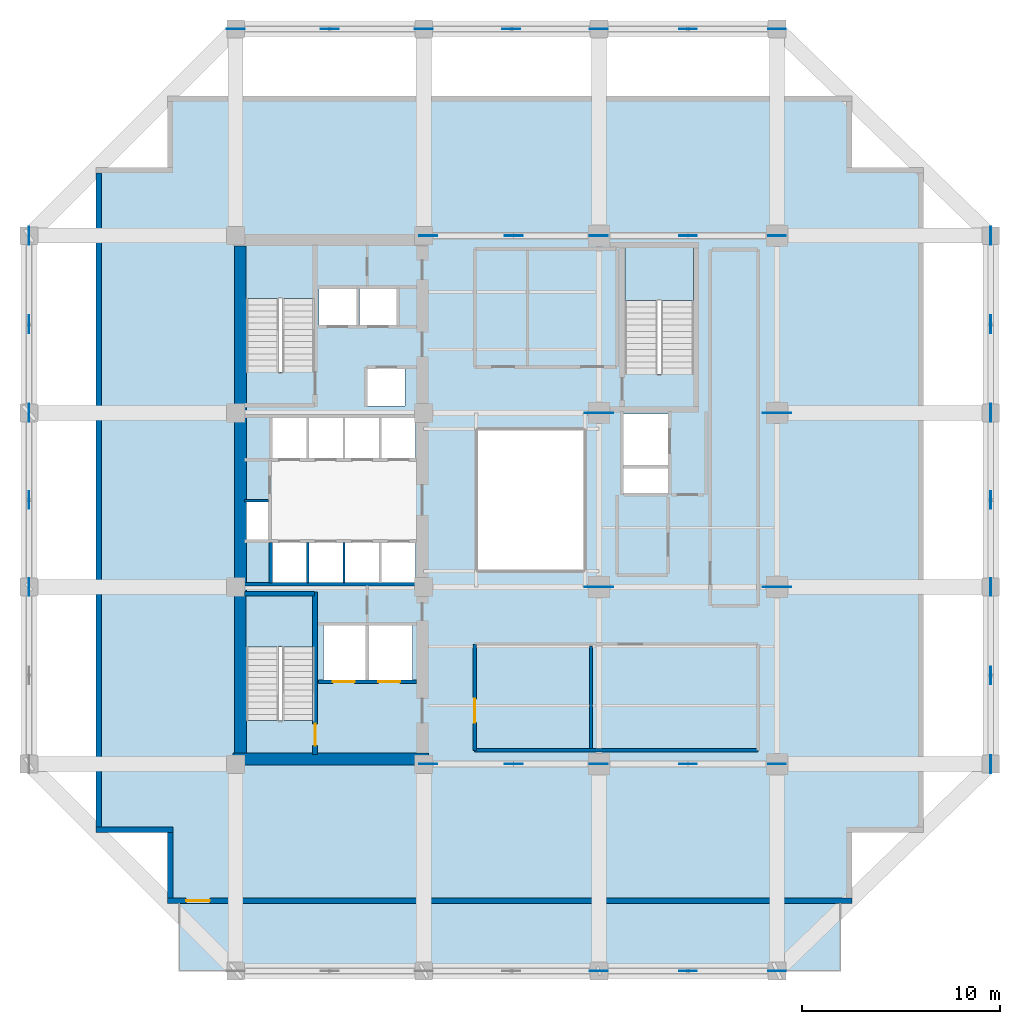
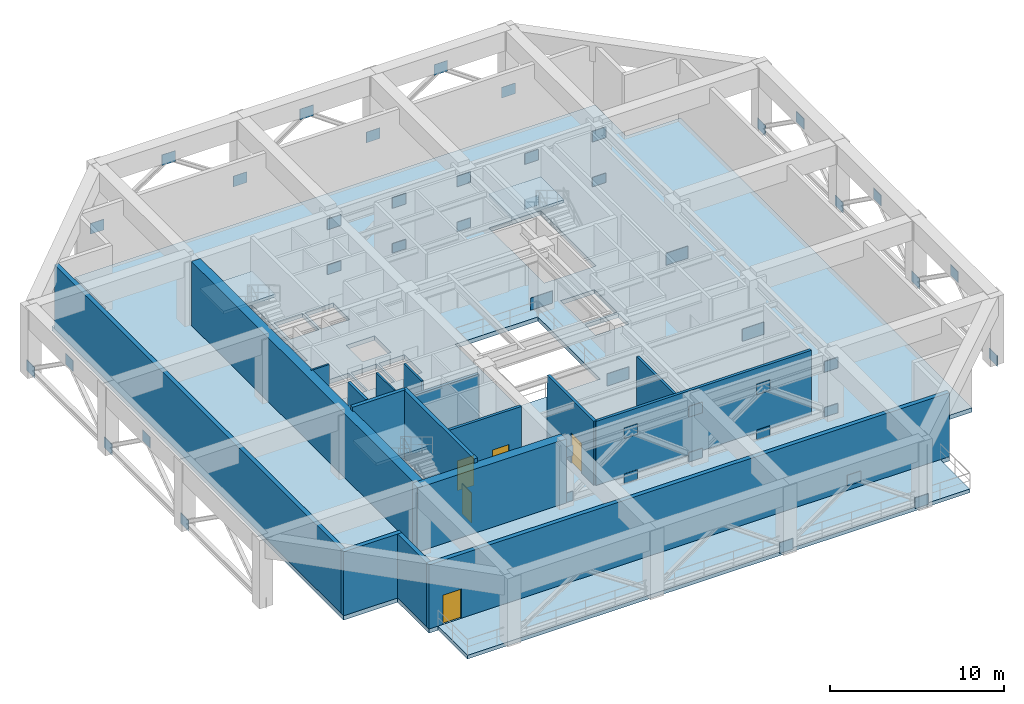
# One storey, part 3 of 10: 46 plates, 17 walls, 5 doors, 5 slabs, 5 openings, 3 elements without a shape of their own.
"""IFC4 building model written with IfcOpenShell, lengths in metres."""

import ifcopenshell
import ifcopenshell.guid

model = None  # the IFC model being written
_history = None  # IfcOwnerHistory: only IFC2X3 demands one
_inside = {}  # id of a spatial element -> (the spatial element, [elements in it])
_under = {}  # id of a project, library or spatial element -> (it, [spatial elements below it])
_declared = {}  # id of a project -> (the project, [libraries it declares])
_typed = {}  # id of a type object -> (the type object, [elements of that type])
_made_of = {}  # id of a material, layer set ... -> (it, [elements and type objects made of it])


def new_model(schema):
    """Start an empty IFC model of exactly this schema.

    Asked for "IFC4X3", IfcOpenShell would pick the latest addendum, in which some entities
    have other attributes; the version numbers below select the first issue.
    IFC2X3 requires an IfcOwnerHistory on every rooted entity: one is made here for all.
    """
    global model, _history
    if schema == "IFC4X3":
        model = ifcopenshell.file(schema_version=(4, 3, 0, 0))
    else:
        model = ifcopenshell.file(schema=schema)
    _inside.clear()
    _under.clear()
    _declared.clear()
    _typed.clear()
    _made_of.clear()
    _history = None
    if model.schema == "IFC2X3":
        org = make("IfcOrganization", Name="unknown")
        user = make(
            "IfcPersonAndOrganization",
            ThePerson=make("IfcPerson", FamilyName="unknown"),
            TheOrganization=org,
        )
        app = make(
            "IfcApplication",
            ApplicationDeveloper=org,
            Version="unknown",
            ApplicationFullName="unknown",
            ApplicationIdentifier="unknown",
        )
        _history = make(
            "IfcOwnerHistory",
            OwningUser=user,
            OwningApplication=app,
            ChangeAction="ADDED",
            CreationDate=0,
        )
    return model


def make(cls, **values):
    """One entity of the class cls with the attributes given. An attribute that is None is left unset."""
    return model.create_entity(
        cls, **{name: value for name, value in values.items() if value is not None}
    )


def rooted(cls, **values):
    """An entity with a GlobalId (a new one), such as an element, a storey or a relation."""
    return make(cls, GlobalId=ifcopenshell.guid.new(), OwnerHistory=_history, **values)


def si_unit(unit_type, name, prefix=None):
    """IfcSIUnit, for example si_unit("LENGTHUNIT", "METRE", prefix="MILLI")."""
    return make("IfcSIUnit", UnitType=unit_type, Prefix=prefix, Name=name)


def assignment(units):
    """IfcUnitAssignment: the units of a project."""
    return None if units is None else make("IfcUnitAssignment", Units=units)


def point(xyz):
    """IfcCartesianPoint."""
    return None if xyz is None else make("IfcCartesianPoint", Coordinates=xyz)


def direction(xyz):
    """IfcDirection."""
    return None if xyz is None else make("IfcDirection", DirectionRatios=xyz)


def frame(location, z_axis=None, x_axis=None):
    """IfcAxis2Placement3D, a coordinate frame: its origin and axes. An axis left out is left unset."""
    return make(
        "IfcAxis2Placement3D",
        Location=point(location),
        Axis=direction(z_axis),
        RefDirection=direction(x_axis),
    )


def frame_2d(location, x_axis=None):
    """IfcAxis2Placement2D, a coordinate frame in the plane: its origin and x axis."""
    return make(
        "IfcAxis2Placement2D", Location=point(location), RefDirection=direction(x_axis)
    )


def origin():
    """The frame at (0, 0, 0) with its axes left unset."""
    return frame((0.0, 0.0, 0.0))


def origin_2d():
    """The frame at (0, 0) in the plane with its x axis left unset."""
    return frame_2d((0.0, 0.0))


def place(relative_to, where):
    """IfcLocalPlacement: puts the frame where relative to a parent placement (None: the world)."""
    return make(
        "IfcLocalPlacement", PlacementRelTo=relative_to, RelativePlacement=where
    )


def context(
    kind, dimensions, precision=None, world=None, true_north=None, identifier=None
):
    """IfcGeometricRepresentationContext, for example the 3D "Model" context."""
    return make(
        "IfcGeometricRepresentationContext",
        ContextIdentifier=identifier,
        ContextType=kind,
        CoordinateSpaceDimension=dimensions,
        Precision=precision,
        WorldCoordinateSystem=world,
        TrueNorth=true_north,
    )


def subcontext(parent, identifier, kind, view, scale=None):
    """IfcGeometricRepresentationSubContext, for example "Body" below "Model"."""
    return make(
        "IfcGeometricRepresentationSubContext",
        ContextIdentifier=identifier,
        ContextType=kind,
        ParentContext=parent,
        TargetScale=scale,
        TargetView=view,
    )


def project(units=None, contexts=None):
    """IfcProject with its units and contexts."""
    return rooted(
        "IfcProject",
        Name="project",
        RepresentationContexts=contexts,
        UnitsInContext=assignment(units),
    )


def spatial(cls, under=None, at=None, **own):
    """A site, building, storey or space (cls), placed at a placement, below another one or the project."""
    s = rooted(cls, ObjectPlacement=at, **own)
    if under is not None:
        _under.setdefault(under.id(), (under, []))[1].append(s)
    return s


def polyline(points):
    """IfcPolyline through the points."""
    return make("IfcPolyline", Points=[point(p) for p in points])


def profile(cls, at=None, kind="AREA", **sizes):
    """A parametric profile (cls). Its sizes go by their IFC names, for example OverallWidth=200.0."""
    return make(cls, ProfileType=kind, Position=at, **sizes)


def rectangle(**sizes):
    """IfcRectangleProfileDef."""
    return profile("IfcRectangleProfileDef", **sizes)


def outline(outer, holes=None, kind="AREA"):
    """IfcArbitraryClosedProfileDef: a profile drawn as a closed curve; with holes, ...WithVoids."""
    if holes is None:
        return make("IfcArbitraryClosedProfileDef", ProfileType=kind, OuterCurve=outer)
    return make(
        "IfcArbitraryProfileDefWithVoids",
        ProfileType=kind,
        OuterCurve=outer,
        InnerCurves=holes,
    )


def extrude(swept, where, along, depth):
    """IfcExtrudedAreaSolid: the profile swept, set in the frame where, extruded along a direction by depth."""
    return make(
        "IfcExtrudedAreaSolid",
        SweptArea=swept,
        Position=where,
        ExtrudedDirection=direction(along),
        Depth=depth,
    )


def shape(context_of_items, identifier, shape_type, items):
    """IfcShapeRepresentation: the items that make up one representation, for example the "Body"."""
    return make(
        "IfcShapeRepresentation",
        ContextOfItems=context_of_items,
        RepresentationIdentifier=identifier,
        RepresentationType=shape_type,
        Items=items,
    )


def material(Name=None, Category=None):
    """IfcMaterial."""
    return make("IfcMaterial", Name=Name, Category=Category)


def layer(
    of_material, thickness, ventilated=None, Name=None, Category=None, Priority=None
):
    """IfcMaterialLayer: one layer of a wall or slab, of a material (None: an air gap)."""
    return make(
        "IfcMaterialLayer",
        Material=of_material,
        LayerThickness=thickness,
        IsVentilated=ventilated,
        Name=Name,
        Category=Category,
        Priority=Priority,
    )


def layer_set(layers, Name=None):
    """IfcMaterialLayerSet."""
    return make("IfcMaterialLayerSet", MaterialLayers=layers, LayerSetName=Name)


def made_of(thing, what):
    """Note that an element or type object is made of a material, layer set ...; save() writes the relation."""
    if what is not None:
        _made_of.setdefault(what.id(), (what, []))[1].append(thing)
    return thing


def type_object(cls, material=None, **own):
    """A type object (cls), such as IfcWallType, which elements share."""
    return made_of(rooted(cls, **own), material)


def element(
    cls,
    number,
    at=None,
    inside=None,
    cuts=None,
    type_object=None,
    material=None,
    context=None,
    identifier="Body",
    shape_type=None,
    held_by="IfcProductDefinitionShape",
    body=None,
    shapes=None,
    **own,
):
    """One element of the class cls, such as IfcWall. Its Tag is "e" and its number.

    at: its placement. inside: the storey or other place that contains it. cuts: it is an
    opening in that element (IfcRelVoidsElement). A single representation is given by context,
    identifier, shape_type and body (its items); several are given by shapes. held_by: the class
    of the entity that holds the representations. save() writes the other relations.
    """
    e = rooted(cls, Tag="e%d" % number, ObjectPlacement=at, **own)
    if body is not None:
        shapes = [shape(context, identifier, shape_type, body)]
    if shapes is not None:
        e.Representation = make(held_by, Representations=shapes)
    if inside is not None:
        _inside.setdefault(inside.id(), (inside, []))[1].append(e)
    if cuts is not None:
        rooted(
            "IfcRelVoidsElement", RelatingBuildingElement=cuts, RelatedOpeningElement=e
        )
    if type_object is not None:
        _typed.setdefault(type_object.id(), (type_object, []))[1].append(e)
    return made_of(e, material)


def fill(opening, filler):
    """IfcRelFillsElement: the door or window that sits in an opening."""
    return rooted(
        "IfcRelFillsElement",
        RelatingOpeningElement=opening,
        RelatedBuildingElement=filler,
    )


def aggregate(whole, parts):
    """IfcRelAggregates: a whole, such as a stair, and the parts it consists of."""
    return rooted("IfcRelAggregates", RelatingObject=whole, RelatedObjects=parts)


def save(model, path):
    """Write the relations noted so far, then the file.

    IfcRelAggregates (storeys below a building ...), IfcRelContainedInSpatialStructure (elements
    in a storey), IfcRelDefinesByType, IfcRelAssociatesMaterial and IfcRelDeclares: one each for
    every whole, place, type object, material and project.
    """
    for whole, parts in _under.values():
        aggregate(whole, parts)
    for where, things in _inside.values():
        rooted(
            "IfcRelContainedInSpatialStructure",
            RelatedElements=things,
            RelatingStructure=where,
        )
    for kind, things in _typed.values():
        rooted("IfcRelDefinesByType", RelatedObjects=things, RelatingType=kind)
    for what, things in _made_of.values():
        rooted("IfcRelAssociatesMaterial", RelatedObjects=things, RelatingMaterial=what)
    for by, libraries in _declared.values():
        rooted("IfcRelDeclares", RelatingContext=by, RelatedDefinitions=libraries)
    model.write(path)


model = new_model("IFC4")

# Units and contexts
model_context = context("Model", 3, precision=1e-05, world=origin(), true_north=direction((0.0, 1.0)))
body_context = subcontext(model_context, "Body", "Model", "MODEL_VIEW")
ifc_project = project(units=[si_unit("LENGTHUNIT", "METRE"), si_unit("AREAUNIT", "SQUARE_METRE"), si_unit("VOLUMEUNIT", "CUBIC_METRE"), si_unit("PLANEANGLEUNIT", "RADIAN"), si_unit("MASSUNIT", "GRAM", prefix="KILO")], contexts=[model_context])

# Site, building, storey
site_placement = place(None, origin())
site = spatial("IfcSite", under=ifc_project, at=site_placement, CompositionType="ELEMENT")
building_placement = place(site_placement, origin())
building = spatial("IfcBuilding", under=site, at=building_placement, Name="Kundavana Baori Tower", CompositionType="ELEMENT")
storey_placement = place(building_placement, frame((0.0, 0.0, 94.0)))
storey = spatial("IfcBuildingStorey", under=building, at=storey_placement, Name="L22", CompositionType="ELEMENT", Elevation=94.0)

# Plates
ifc_material_1 = material(Name="Structural Steel S355JR", Category="steel")
ifc_layer_1 = layer(ifc_material_1, 0.031982421875, Name="PLT-GUSSET-32")
ifc_layer_set_1 = layer_set([ifc_layer_1], Name="Structural Steel S355JR")
plate_type_1 = type_object("IfcPlateType", Name="PLT-GUSSET-32", PredefinedType="USERDEFINED", material=ifc_layer_set_1)
for number, where, z_axis, x_axis, name in (
    (1, (25.179931640625, 15.25, -0.094970703125), (0.0, 0.0, 1.0), (1.0, 0.0, 0.0), "L22 Outrigger Truss OT1 Node Gusset Plate 01"),
    (2, (25.179931640625, 15.25, 3.14990234375), (0.0, 0.0, 1.0), (1.0, 0.0, 0.0), "L22 Outrigger Truss OT1 Node Gusset Plate 02"),
    (3, (29.489990234375, 15.25, -0.094970703125), (0.0, 0.0, 1.0), (1.0, 0.0, 0.0), "L22 Outrigger Truss OT1 Node Gusset Plate 03"),
    (4, (29.489990234375, 15.25, 3.14990234375), (0.0, 0.0, 1.0), (1.0, 0.0, 0.0), "L22 Outrigger Truss OT1 Node Gusset Plate 04"),
    (5, (33.800048828125, 15.25, -0.094970703125), (0.0, 0.0, 1.0), (1.0, 0.0, 0.0), "L22 Outrigger Truss OT1 Node Gusset Plate 05"),
    (6, (33.800048828125, 15.25, 3.14990234375), (0.0, 0.0, 1.0), (1.0, 0.0, 0.0), "L22 Outrigger Truss OT1 Node Gusset Plate 06"),
    (7, (38.300048828125, 15.25, -0.094970703125), (0.0, 0.0, 1.0), (1.0, 0.0, 0.0), "L22 Outrigger Truss OT1 Node Gusset Plate 07"),
    (8, (38.300048828125, 15.25, 3.14990234375), (0.0, 0.0, 1.0), (1.0, 0.0, 0.0), "L22 Outrigger Truss OT1 Node Gusset Plate 08"),
    (9, (42.800048828125, 15.25, -0.094970703125), (0.0, 0.0, 1.0), (1.0, 0.0, 0.0), "L22 Outrigger Truss OT1 Node Gusset Plate 09"),
    (10, (42.800048828125, 15.25, 3.14990234375), (0.0, 0.0, 1.0), (1.0, 0.0, 0.0), "L22 Outrigger Truss OT1 Node Gusset Plate 10"),
    (11, (25.179931640625, 41.949951171875, -0.094970703125), (0.0, 0.0, 1.0), (1.0, 0.0, 0.0), "L22 Outrigger Truss OT2 Node Gusset Plate 11"),
    (12, (25.179931640625, 41.949951171875, 3.14990234375), (0.0, 0.0, 1.0), (1.0, 0.0, 0.0), "L22 Outrigger Truss OT2 Node Gusset Plate 12"),
    (13, (29.489990234375, 41.949951171875, -0.094970703125), (0.0, 0.0, 1.0), (1.0, 0.0, 0.0), "L22 Outrigger Truss OT2 Node Gusset Plate 13"),
    (14, (29.489990234375, 41.949951171875, 3.14990234375), (0.0, 0.0, 1.0), (1.0, 0.0, 0.0), "L22 Outrigger Truss OT2 Node Gusset Plate 14"),
    (15, (33.800048828125, 41.949951171875, -0.094970703125), (0.0, 0.0, 1.0), (1.0, 0.0, 0.0), "L22 Outrigger Truss OT2 Node Gusset Plate 15"),
    (16, (33.800048828125, 41.949951171875, 3.14990234375), (0.0, 0.0, 1.0), (1.0, 0.0, 0.0), "L22 Outrigger Truss OT2 Node Gusset Plate 16"),
    (17, (38.300048828125, 41.949951171875, -0.094970703125), (0.0, 0.0, 1.0), (1.0, 0.0, 0.0), "L22 Outrigger Truss OT2 Node Gusset Plate 17"),
    (18, (38.300048828125, 41.949951171875, 3.14990234375), (0.0, 0.0, 1.0), (1.0, 0.0, 0.0), "L22 Outrigger Truss OT2 Node Gusset Plate 18"),
    (19, (42.800048828125, 41.949951171875, -0.094970703125), (0.0, 0.0, 1.0), (1.0, 0.0, 0.0), "L22 Outrigger Truss OT2 Node Gusset Plate 19"),
    (20, (42.800048828125, 41.949951171875, 3.14990234375), (0.0, 0.0, 1.0), (1.0, 0.0, 0.0), "L22 Outrigger Truss OT2 Node Gusset Plate 20"),
    (21, (33.800048828125, 4.800048828125, -0.094970703125), (0.0, 0.0, 1.0), (1.0, 0.0, 0.0), "L22 Belt Truss S Gusset Plate 24"),
    (22, (42.800048828125, 4.800048828125, -0.094970703125), (0.0, 0.0, 1.0), (1.0, 0.0, 0.0), "L22 Belt Truss S Gusset Plate 26"),
    (23, (38.300048828125, 4.800048828125, 3.06494140625), (0.0, 0.0, 1.0), (1.0, 0.0, 0.0), "L22 Belt Truss Apex S Gusset Plate 27"),
    (24, (15.449951171875, 52.39990234375, -0.094970703125), (0.0, 0.0, 1.0), (1.0, 0.0, 0.0), "L22 Belt Truss N Gusset Plate 28"),
    (25, (24.949951171875, 52.39990234375, -0.094970703125), (0.0, 0.0, 1.0), (1.0, 0.0, 0.0), "L22 Belt Truss N Gusset Plate 29"),
    (26, (20.199951171875, 52.39990234375, 3.06494140625), (0.0, 0.0, 1.0), (1.0, 0.0, 0.0), "L22 Belt Truss Apex N Gusset Plate 30"),
    (27, (33.800048828125, 52.39990234375, -0.094970703125), (0.0, 0.0, 1.0), (1.0, 0.0, 0.0), "L22 Belt Truss N Gusset Plate 31"),
    (28, (29.375, 52.39990234375, 3.06494140625), (0.0, 0.0, 1.0), (1.0, 0.0, 0.0), "L22 Belt Truss Apex N Gusset Plate 32"),
    (29, (42.800048828125, 52.39990234375, -0.094970703125), (0.0, 0.0, 1.0), (1.0, 0.0, 0.0), "L22 Belt Truss N Gusset Plate 33"),
    (30, (38.300048828125, 52.39990234375, 3.06494140625), (0.0, 0.0, 1.0), (1.0, 0.0, 0.0), "L22 Belt Truss Apex N Gusset Plate 34"),
):
    element("IfcPlate", number, at=place(storey_placement, frame(where, z_axis=z_axis, x_axis=x_axis)), inside=storey, type_object=plate_type_1, Name=name, ObjectType="GUSSET PLATE", PredefinedType="USERDEFINED", context=body_context, shape_type="SweptSolid", body=[
        extrude(rectangle(XDim=0.89990234375, YDim=0.031982421875, at=origin_2d()), origin(), (0.0, 0.0, 1.0), 0.75),
    ])
for number, where, z_axis, x_axis, name in (
    (31, (5.0, 24.199951171875, -0.094970703125), (0.0, 0.0, 1.0), (1.0, 0.0, 0.0), "L22 Belt Truss W Gusset Plate 36"),
    (32, (5.0, 33.0, -0.094970703125), (0.0, 0.0, 1.0), (1.0, 0.0, 0.0), "L22 Belt Truss W Gusset Plate 38"),
    (33, (5.0, 28.60009765625, 3.06494140625), (0.0, 0.0, 1.0), (1.0, 0.0, 0.0), "L22 Belt Truss Apex W Gusset Plate 39"),
    (34, (5.0, 41.949951171875, -0.094970703125), (0.0, 0.0, 1.0), (1.0, 0.0, 0.0), "L22 Belt Truss W Gusset Plate 40"),
    (35, (5.0, 37.47509765625, 3.06494140625), (0.0, 0.0, 1.0), (1.0, 0.0, 0.0), "L22 Belt Truss Apex W Gusset Plate 41"),
    (36, (53.60009765625, 15.25, -0.094970703125), (0.0, 0.0, 1.0), (1.0, 0.0, 0.0), "L22 Belt Truss E Gusset Plate 42"),
    (37, (53.60009765625, 24.199951171875, -0.094970703125), (0.0, 0.0, 1.0), (1.0, 0.0, 0.0), "L22 Belt Truss E Gusset Plate 43"),
    (38, (53.60009765625, 19.72509765625, 3.06494140625), (0.0, 0.0, 1.0), (1.0, 0.0, 0.0), "L22 Belt Truss Apex E Gusset Plate 44"),
    (39, (53.60009765625, 33.0, -0.094970703125), (0.0, 0.0, 1.0), (1.0, 0.0, 0.0), "L22 Belt Truss E Gusset Plate 45"),
    (40, (53.60009765625, 28.60009765625, 3.06494140625), (0.0, 0.0, 1.0), (1.0, 0.0, 0.0), "L22 Belt Truss Apex E Gusset Plate 46"),
    (41, (53.60009765625, 41.949951171875, -0.094970703125), (0.0, 0.0, 1.0), (1.0, 0.0, 0.0), "L22 Belt Truss E Gusset Plate 47"),
    (42, (53.60009765625, 37.47509765625, 3.06494140625), (0.0, 0.0, 1.0), (1.0, 0.0, 0.0), "L22 Belt Truss Apex E Gusset Plate 48"),
):
    element("IfcPlate", number, at=place(storey_placement, frame(where, z_axis=z_axis, x_axis=x_axis)), inside=storey, type_object=plate_type_1, Name=name, ObjectType="GUSSET PLATE", PredefinedType="USERDEFINED", context=body_context, shape_type="SweptSolid", body=[
        extrude(rectangle(XDim=0.031982421875, YDim=0.89990234375, at=origin_2d()), origin(), (0.0, 0.0, 1.0), 0.75),
    ])
ifc_material_2 = material(Name="Structural Steel S355JR", Category="steel")
ifc_layer_2 = layer(ifc_material_2, 0.028076171875, Name="PLT-SPLICE-28")
ifc_layer_set_2 = layer_set([ifc_layer_2], Name="Structural Steel S355JR")
plate_type_2 = type_object("IfcPlateType", Name="PLT-SPLICE-28", PredefinedType="SHEET", material=ifc_layer_set_2)
for number, where, z_axis, x_axis, name in (
    (43, (33.800048828125, 24.199951171875, 0.0), (0.0, 0.0, 1.0), (1.0, 0.0, 0.0), "L22 Column Splice Plate IC-5D"),
    (44, (33.800048828125, 33.0, 0.0), (0.0, 0.0, 1.0), (1.0, 0.0, 0.0), "L22 Column Splice Plate IC-5E"),
    (45, (42.800048828125, 24.199951171875, 0.0), (0.0, 0.0, 1.0), (1.0, 0.0, 0.0), "L22 Column Splice Plate IC-6D"),
    (46, (42.800048828125, 33.0, 0.0), (0.0, 0.0, 1.0), (1.0, 0.0, 0.0), "L22 Column Splice Plate IC-6E"),
):
    element("IfcPlate", number, at=place(storey_placement, frame(where, z_axis=z_axis, x_axis=x_axis)), inside=storey, type_object=plate_type_2, Name=name, PredefinedType="SHEET", context=body_context, shape_type="SweptSolid", body=[
        extrude(rectangle(XDim=1.449951171875, YDim=0.028076171875, at=origin_2d()), origin(), (0.0, 0.0, 1.0), 0.85009765625),
    ])

# Slab
ifc_material_3 = material(Name="Concrete C40/50", Category="concrete")
ifc_layer_3 = layer(ifc_material_3, 0.300048828125, Name="SLB-FLR-300")
ifc_layer_set_3 = layer_set([ifc_layer_3], Name="Concrete C40/50")
slab_type_1 = type_object("IfcSlabType", Name="SLB-FLR-300", PredefinedType="FLOOR", material=ifc_layer_set_3)
slab_1_placement = place(storey_placement, frame((0.0, 0.0, -0.300048828125)))
element("IfcSlab", 47, at=slab_1_placement, inside=storey, type_object=slab_type_1, Name="L22 Structural Floor Slab", PredefinedType="FLOOR", context=body_context, shape_type="SweptSolid", body=[
    extrude(outline(polyline([(12.0, 8.199951171875), (46.60009765625, 8.199951171875), (46.60009765625, 11.800048828125), (50.199951171875, 11.800048828125), (50.199951171875, 45.39990234375), (46.60009765625, 45.39990234375), (46.60009765625, 49.0), (12.0, 49.0), (12.0, 45.39990234375), (8.39990234375, 45.39990234375), (8.39990234375, 11.800048828125), (12.0, 11.800048828125), (12.0, 8.199951171875)]), holes=[polyline([(19.43994140625, 17.4619140625), (19.43994140625, 23.85009765625), (15.97998046875, 23.85009765625), (15.97998046875, 17.4619140625), (19.43994140625, 17.4619140625)]), polyline([(19.43994140625, 35.06201171875), (19.43994140625, 41.449951171875), (15.97998046875, 41.449951171875), (15.97998046875, 35.06201171875), (19.43994140625, 35.06201171875)]), polyline([(38.580078125, 34.9619140625), (38.580078125, 41.35009765625), (35.1201171875, 41.35009765625), (35.1201171875, 34.9619140625), (38.580078125, 34.9619140625)]), polyline([(17.300048828125, 24.39990234375), (19.02001953125, 24.39990234375), (19.02001953125, 26.449951171875), (17.300048828125, 26.449951171875), (17.300048828125, 24.39990234375)]), polyline([(19.139892578125, 24.39990234375), (20.860107421875, 24.39990234375), (20.860107421875, 26.449951171875), (19.139892578125, 26.449951171875), (19.139892578125, 24.39990234375)]), polyline([(20.97998046875, 24.39990234375), (22.699951171875, 24.39990234375), (22.699951171875, 26.449951171875), (20.97998046875, 26.449951171875), (20.97998046875, 24.39990234375)]), polyline([(22.820068359375, 24.39990234375), (24.5400390625, 24.39990234375), (24.5400390625, 26.449951171875), (22.820068359375, 26.449951171875), (22.820068359375, 24.39990234375)]), polyline([(17.300048828125, 30.699951171875), (19.02001953125, 30.699951171875), (19.02001953125, 32.75), (17.300048828125, 32.75), (17.300048828125, 30.699951171875)]), polyline([(19.139892578125, 30.699951171875), (20.860107421875, 30.699951171875), (20.860107421875, 32.75), (19.139892578125, 32.75), (19.139892578125, 30.699951171875)]), polyline([(20.97998046875, 30.699951171875), (22.699951171875, 30.699951171875), (22.699951171875, 32.75), (20.97998046875, 32.75), (20.97998046875, 30.699951171875)]), polyline([(22.820068359375, 30.699951171875), (24.5400390625, 30.699951171875), (24.5400390625, 32.75), (22.820068359375, 32.75), (22.820068359375, 30.699951171875)]), polyline([(19.64990234375, 37.39990234375), (21.550048828125, 37.39990234375), (21.550048828125, 39.300048828125), (19.64990234375, 39.300048828125), (19.64990234375, 37.39990234375)]), polyline([(21.699951171875, 37.39990234375), (23.60009765625, 37.39990234375), (23.60009765625, 39.300048828125), (21.699951171875, 39.300048828125), (21.699951171875, 37.39990234375)]), polyline([(22.10009765625, 33.35009765625), (24.0, 33.35009765625), (24.0, 35.25), (22.10009765625, 35.25), (22.10009765625, 33.35009765625)]), polyline([(19.8798828125, 19.5), (22.02001953125, 19.5), (22.02001953125, 22.25), (19.8798828125, 22.25), (19.8798828125, 19.5)]), polyline([(22.179931640625, 19.5), (24.3798828125, 19.5), (24.3798828125, 22.25), (22.179931640625, 22.25), (22.179931640625, 19.5)]), polyline([(35.050048828125, 30.35009765625), (37.300048828125, 30.35009765625), (37.300048828125, 32.949951171875), (35.050048828125, 32.949951171875), (35.050048828125, 30.35009765625)]), polyline([(15.949951171875, 26.60009765625), (17.080078125, 26.60009765625), (17.080078125, 28.5), (15.949951171875, 28.5), (15.949951171875, 26.60009765625)]), polyline([(35.050048828125, 28.949951171875), (37.300048828125, 28.949951171875), (37.300048828125, 30.199951171875), (35.050048828125, 30.199951171875), (35.050048828125, 28.949951171875)]), polyline([(27.60009765625, 25.0), (33.10009765625, 25.0), (33.10009765625, 32.199951171875), (27.60009765625, 32.199951171875), (27.60009765625, 25.0)])]), origin(), (0.0, 0.0, 1.0), 0.300048828125),
])

# Stair, slab
ifc_material_4 = material(Name="Concrete C40/50", Category="concrete")
stair_type = type_object("IfcStairType", Name="STR-DOG-1650", PredefinedType="HALF_TURN_STAIR", material=ifc_material_4)
stair_1_placement = place(storey_placement, origin())
stair_1 = element("IfcStair", 48, at=stair_1_placement, inside=storey, type_object=stair_type, Name="L22 Protected Exit Stair ST1", PredefinedType="HALF_TURN_STAIR")
ifc_material_5 = material(Name="Concrete C40/50", Category="concrete")
ifc_layer_4 = layer(ifc_material_5, 0.199951171875, Name="SLB-LND-200")
ifc_layer_set_4 = layer_set([ifc_layer_4], Name="Concrete C40/50")
slab_type_2 = type_object("IfcSlabType", Name="SLB-LND-200", PredefinedType="LANDING", material=ifc_layer_set_4)
slab_2_placement = place(storey_placement, frame((0.0, 0.0, 2.199951171875)))
slab_2 = element("IfcSlab", 49, at=slab_2_placement, type_object=slab_type_2, Name="ST1 landing 1", PredefinedType="LANDING", context=body_context, shape_type="SweptSolid", body=[
    extrude(outline(polyline([(19.43994140625, 21.169921875), (19.43994140625, 23.85009765625), (15.97998046875, 23.85009765625), (15.97998046875, 21.169921875), (19.43994140625, 21.169921875)])), origin(), (0.0, 0.0, 1.0), 0.199951171875),
])
aggregate(stair_1, [slab_2])

stair_2_placement = place(storey_placement, origin())
stair_2 = element("IfcStair", 50, at=stair_2_placement, inside=storey, type_object=stair_type, Name="L22 Protected Exit Stair ST2", PredefinedType="HALF_TURN_STAIR")
slab_3_placement = place(storey_placement, frame((0.0, 0.0, 2.199951171875)))
slab_3 = element("IfcSlab", 51, at=slab_3_placement, type_object=slab_type_2, Name="ST2 landing 1", PredefinedType="LANDING", context=body_context, shape_type="SweptSolid", body=[
    extrude(outline(polyline([(19.43994140625, 38.77001953125), (19.43994140625, 41.449951171875), (15.97998046875, 41.449951171875), (15.97998046875, 38.77001953125), (19.43994140625, 38.77001953125)])), origin(), (0.0, 0.0, 1.0), 0.199951171875),
])
aggregate(stair_2, [slab_3])

stair_3_placement = place(storey_placement, origin())
stair_3 = element("IfcStair", 52, at=stair_3_placement, inside=storey, type_object=stair_type, Name="L22 Protected Exit Stair ST3", PredefinedType="HALF_TURN_STAIR")
slab_4_placement = place(storey_placement, frame((0.0, 0.0, 2.199951171875)))
slab_4 = element("IfcSlab", 53, at=slab_4_placement, type_object=slab_type_2, Name="ST3 landing 1", PredefinedType="LANDING", context=body_context, shape_type="SweptSolid", body=[
    extrude(outline(polyline([(38.580078125, 38.669921875), (38.580078125, 41.35009765625), (35.1201171875, 41.35009765625), (35.1201171875, 38.669921875), (38.580078125, 38.669921875)])), origin(), (0.0, 0.0, 1.0), 0.199951171875),
])
aggregate(stair_3, [slab_4])

# Slab
ifc_material_6 = material(Name="Concrete C40/50", Category="concrete")
ifc_layer_5 = layer(ifc_material_6, 0.260009765625, Name="SLB-TER-260")
ifc_layer_set_5 = layer_set([ifc_layer_5], Name="Concrete C40/50")
slab_type_3 = type_object("IfcSlabType", Name="SLB-TER-260", PredefinedType="ROOF", material=ifc_layer_set_5)
slab_5_placement = place(storey_placement, frame((0.0, 0.0, -0.260009765625)))
element("IfcSlab", 54, at=slab_5_placement, inside=storey, type_object=slab_type_3, Name="L22 Planted Sky Terrace Slab S", PredefinedType="ROOF", context=body_context, shape_type="SweptSolid", body=[
    extrude(outline(polyline([(12.60009765625, 8.199951171875), (46.0, 8.199951171875), (46.0, 4.800048828125), (12.60009765625, 4.800048828125), (12.60009765625, 8.199951171875)])), origin(), (0.0, 0.0, 1.0), 0.260009765625),
])

# Wall, opening, door
ifc_material_7 = material(Name="Concrete C50/60", Category="concrete")
ifc_layer_6 = layer(ifc_material_7, 0.39990234375, Name="WL-CORE-400")
ifc_layer_set_6 = layer_set([ifc_layer_6], Name="Concrete C50/60")
wall_type_1 = type_object("IfcWallType", Name="WL-CORE-400", PredefinedType="SHEAR", material=ifc_layer_set_6)
wall_1_placement = place(storey_placement, frame((19.4599609375, 15.739990234375, 0.0), z_axis=(0.0, 0.0, 1.0), x_axis=(0.0, 1.0, 0.0)))
wall_1 = element("IfcWall", 55, at=wall_1_placement, inside=storey, type_object=wall_type_1, Name="WL-L22-ST1-E", PredefinedType="SHEAR", context=body_context, shape_type="SweptSolid", body=[
    extrude(rectangle(XDim=8.199951171875, YDim=0.239990234375, at=frame_2d((4.10009765625, 0.0))), origin(), (0.0, 0.0, 1.0), 4.800048828125),
])
opening_1_placement = place(wall_1_placement, frame((0.449951171875, 0.0, 0.0)))
opening_1 = element("IfcOpeningElement", 56, at=opening_1_placement, cuts=wall_1, Name="Opening FD-110", PredefinedType="OPENING", context=body_context, shape_type="SweptSolid", body=[
    extrude(rectangle(XDim=1.10009765625, YDim=2.10009765625, at=frame_2d((0.550048828125, 1.050048828125))), frame((0.0, 0.1298828125, 0.0), z_axis=(0.0, -1.0, 0.0), x_axis=(1.0, 0.0, 0.0)), (0.0, 0.0, 1.0), 0.260009765625),
])
ifc_material_8 = material(Name="Galvanised Steel Fire-Rated Door Leaf", Category="steel")
door_type_1 = type_object("IfcDoorType", Name="DR-FD120-1100", OperationType="NOTDEFINED", PredefinedType="DOOR", material=ifc_material_8)
door_1_placement = place(opening_1_placement, origin())
door_1 = element("IfcDoor", 57, at=door_1_placement, inside=storey, type_object=door_type_1, Name="DR-L22-ST1", OperationType="SINGLE_SWING_LEFT", OverallHeight=2.10009765625, OverallWidth=1.10009765625, PredefinedType="DOOR", context=body_context, shape_type="SweptSolid", body=[
    extrude(rectangle(XDim=1.10009765625, YDim=2.10009765625, at=frame_2d((0.550048828125, 1.050048828125))), frame((0.0, 0.02490234375, 0.0), z_axis=(0.0, -1.0, 0.0), x_axis=(1.0, 0.0, 0.0)), (0.0, 0.0, 1.0), 0.050048828125),
])
fill(opening_1, door_1)

# Walls
wall_2_placement = place(storey_placement, frame((15.89990234375, 23.860107421875, 0.0), z_axis=(0.0, 0.0, 1.0), x_axis=(1.0, 0.0, 0.0)))
element("IfcWall", 58, at=wall_2_placement, inside=storey, type_object=wall_type_1, Name="WL-L22-ST1-N", PredefinedType="SHEAR", context=body_context, shape_type="SweptSolid", body=[
    extrude(rectangle(XDim=3.52001953125, YDim=0.239990234375, at=frame_2d((1.760009765625, 0.0))), origin(), (0.0, 0.0, 1.0), 4.800048828125),
])
ifc_material_9 = material(Name="Concrete C60/75", Category="concrete")
ifc_layer_7 = layer(ifc_material_9, 0.60009765625, Name="WL-CORE-600")
ifc_layer_set_7 = layer_set([ifc_layer_7], Name="Concrete C60/75")
wall_type_2 = type_object("IfcWallType", Name="WL-CORE-600", PredefinedType="SHEAR", material=ifc_layer_set_7)
wall_3_placement = place(storey_placement, frame((15.300048828125, 15.510009765625, 0.0), z_axis=(0.0, 0.0, 1.0), x_axis=(1.0, 0.0, 0.0)))
element("IfcWall", 59, at=wall_3_placement, inside=storey, type_object=wall_type_2, Name="L22 Offset Core South Shear Wall", PredefinedType="SHEAR", context=body_context, shape_type="SweptSolid", body=[
    extrude(rectangle(XDim=9.8798828125, YDim=0.60009765625, at=frame_2d((4.93994140625, 0.0))), origin(), (0.0, 0.0, 1.0), 4.5),
])
wall_4_placement = place(storey_placement, frame((15.68994140625, 15.81005859375, 0.0), z_axis=(0.0, 0.0, 1.0), x_axis=(0.0, 1.0, 0.0)))
element("IfcWall", 60, at=wall_4_placement, inside=storey, type_object=wall_type_2, Name="L22 Offset Core West Shear Wall", PredefinedType="SHEAR", context=body_context, shape_type="SweptSolid", body=[
    extrude(rectangle(XDim=25.6298828125, YDim=0.60009765625, at=frame_2d((12.81494140625, 0.0))), origin(), (0.0, 0.0, 1.0), 4.5),
])

# Wall, opening, door
ifc_material_10 = material(Name="Red-Buff Dholpur Sandstone Cladding on Concrete C40/50", Category="masonry")
ifc_layer_8 = layer(ifc_material_10, 0.280029296875, Name="WL-EXT-SAND-280")
ifc_layer_set_8 = layer_set([ifc_layer_8], Name="Red-Buff Dholpur Sandstone Cladding on Concrete C40/50")
wall_type_3 = type_object("IfcWallType", Name="WL-EXT-SAND-280", PredefinedType="STANDARD", material=ifc_layer_set_8)
wall_5_placement = place(storey_placement, frame((12.0, 8.340087890625, 0.0), z_axis=(0.0, 0.0, 1.0), x_axis=(1.0, 0.0, 0.0)))
wall_5 = element("IfcWall", 61, at=wall_5_placement, inside=storey, type_object=wall_type_3, Name="L22 Exterior Insulated Facade Wall 01", PredefinedType="STANDARD", context=body_context, shape_type="SweptSolid", body=[
    extrude(rectangle(XDim=34.60009765625, YDim=0.280029296875, at=frame_2d((17.300048828125, 0.0))), origin(), (0.0, 0.0, 1.0), 4.5),
])
opening_2_placement = place(wall_5_placement, frame((0.949951171875, 0.0, 0.0)))
opening_2 = element("IfcOpeningElement", 62, at=opening_2_placement, cuts=wall_5, Name="Opening TD-1", PredefinedType="OPENING", context=body_context, shape_type="SweptSolid", body=[
    extrude(rectangle(XDim=1.199951171875, YDim=2.050048828125, at=frame_2d((0.60009765625, 1.02490234375))), frame((0.0, 0.14990234375, 0.0), z_axis=(0.0, -1.0, 0.0), x_axis=(1.0, 0.0, 0.0)), (0.0, 0.0, 1.0), 0.300048828125),
])
ifc_material_11 = material(Name="Architectural Patinated Bronze Metalwork")
door_type_2 = type_object("IfcDoorType", Name="DR-EXT-TER-1200", OperationType="NOTDEFINED", PredefinedType="DOOR", material=ifc_material_11)
door_2_placement = place(opening_2_placement, frame((1.199951171875, 0.0, 0.0), z_axis=(0.0, 0.0, 1.0), x_axis=(-1.0, 0.0, 0.0)))
door_2 = element("IfcDoor", 63, at=door_2_placement, inside=storey, type_object=door_type_2, Name="L22 Terrace Access Door S", OperationType="SINGLE_SWING_LEFT", OverallHeight=2.050048828125, OverallWidth=1.199951171875, PredefinedType="DOOR", context=body_context, shape_type="SweptSolid", body=[
    extrude(rectangle(XDim=1.199951171875, YDim=2.050048828125, at=frame_2d((0.60009765625, 1.02490234375))), frame((0.0, 0.02490234375, 0.0), z_axis=(0.0, -1.0, 0.0), x_axis=(1.0, 0.0, 0.0)), (0.0, 0.0, 1.0), 0.050048828125),
])
fill(opening_2, door_2)

# Walls
wall_6_placement = place(storey_placement, frame((8.5400390625, 45.1201171875, 0.0), z_axis=(0.0, 0.0, 1.0), x_axis=(0.0, -1.0, 0.0)))
element("IfcWall", 64, at=wall_6_placement, inside=storey, type_object=wall_type_3, Name="L22 Exterior Insulated Facade Wall 10", PredefinedType="STANDARD", context=body_context, shape_type="SweptSolid", body=[
    extrude(rectangle(XDim=33.0400390625, YDim=0.280029296875, at=frame_2d((16.52001953125, 0.0))), origin(), (0.0, 0.0, 1.0), 4.5),
])
wall_7_placement = place(storey_placement, frame((8.39990234375, 11.93994140625, 0.0), z_axis=(0.0, 0.0, 1.0), x_axis=(1.0, 0.0, 0.0)))
element("IfcWall", 65, at=wall_7_placement, inside=storey, type_object=wall_type_3, Name="L22 Exterior Insulated Facade Wall 11", PredefinedType="STANDARD", context=body_context, shape_type="SweptSolid", body=[
    extrude(rectangle(XDim=3.880126953125, YDim=0.280029296875, at=frame_2d((1.93994140625, 0.0))), origin(), (0.0, 0.0, 1.0), 4.5),
])
wall_8_placement = place(storey_placement, frame((12.139892578125, 11.800048828125, 0.0), z_axis=(0.0, 0.0, 1.0), x_axis=(0.0, -1.0, 0.0)))
element("IfcWall", 66, at=wall_8_placement, inside=storey, type_object=wall_type_3, Name="L22 Exterior Insulated Facade Wall 12", PredefinedType="STANDARD", context=body_context, shape_type="SweptSolid", body=[
    extrude(rectangle(XDim=3.320068359375, YDim=0.280029296875, at=frame_2d((1.66015625, 0.0))), origin(), (0.0, 0.0, 1.0), 4.5),
])
ifc_material_12 = material(Name="Acoustic Gypsum Plasterboard on Galvanised Steel Studs", Category="steel")
ifc_layer_9 = layer(ifc_material_12, 0.1201171875, Name="WL-PART-120")
ifc_layer_set_9 = layer_set([ifc_layer_9], Name="Acoustic Gypsum Plasterboard on Galvanised Steel Studs")
wall_type_4 = type_object("IfcWallType", Name="WL-PART-120", PredefinedType="PARTITIONING", material=ifc_layer_set_9)
for number, where, z_axis, x_axis, name in (
    (67, (19.080078125, 24.39990234375, 0.0), (0.0, 0.0, 1.0), (0.0, 1.0, 0.0), "WL-L22-LPLOW-D1"),
    (68, (20.919921875, 24.39990234375, 0.0), (0.0, 0.0, 1.0), (0.0, 1.0, 0.0), "WL-L22-LPLOW-D2"),
):
    element("IfcWall", number, at=place(storey_placement, frame(where, z_axis=z_axis, x_axis=x_axis)), inside=storey, type_object=wall_type_4, Name=name, PredefinedType="PARTITIONING", context=body_context, shape_type="SweptSolid", body=[
        extrude(rectangle(XDim=2.050048828125, YDim=0.1201171875, at=frame_2d((1.02490234375, 0.0))), origin(), (0.0, 0.0, 1.0), 4.5),
    ])
wall_9_placement = place(storey_placement, frame((15.89990234375, 28.56005859375, 0.0), z_axis=(0.0, 0.0, 1.0), x_axis=(1.0, 0.0, 0.0)))
element("IfcWall", 69, at=wall_9_placement, inside=storey, type_object=wall_type_4, Name="WL-L22-RSRW-N", PredefinedType="PARTITIONING", context=body_context, shape_type="SweptSolid", body=[
    extrude(rectangle(XDim=1.2001953125, YDim=0.1201171875, at=frame_2d((0.60009765625, 0.0))), origin(), (0.0, 0.0, 1.0), 4.5),
])
ifc_material_13 = material(Name="Fire-Rated Gypsum Drywall on Galvanised Steel Studs", Category="steel")
ifc_layer_10 = layer(ifc_material_13, 0.14990234375, Name="WL-PART-150")
ifc_layer_set_10 = layer_set([ifc_layer_10], Name="Fire-Rated Gypsum Drywall on Galvanised Steel Studs")
wall_type_5 = type_object("IfcWallType", Name="WL-PART-150", PredefinedType="PARTITIONING", material=ifc_layer_set_10)
wall_10_placement = place(storey_placement, frame((33.39990234375, 16.030029296875, 0.0), z_axis=(0.0, 0.0, 1.0), x_axis=(0.0, 1.0, 0.0)))
element("IfcWall", 70, at=wall_10_placement, inside=storey, type_object=wall_type_5, Name="WL-L22-REF-D", PredefinedType="PARTITIONING", context=body_context, shape_type="SweptSolid", body=[
    extrude(rectangle(XDim=5.18994140625, YDim=0.14990234375, at=frame_2d((2.594970703125, 0.0))), origin(), (0.0, 0.0, 1.0), 3.800048828125),
])

# Wall, opening, door
ifc_material_14 = material(Name="Autoclaved Aerated Concrete Blockwork Masonry", Category="masonry")
ifc_layer_11 = layer(ifc_material_14, 0.18505859375, Name="WL-PART-180")
ifc_layer_set_11 = layer_set([ifc_layer_11], Name="Autoclaved Aerated Concrete Blockwork Masonry")
wall_type_6 = type_object("IfcWallType", Name="WL-PART-180", PredefinedType="SOLIDWALL", material=ifc_layer_set_11)
wall_11_placement = place(storey_placement, frame((27.52001953125, 15.949951171875, 0.0), z_axis=(0.0, 0.0, 1.0), x_axis=(0.0, 1.0, 0.0)))
wall_11 = element("IfcWall", 71, at=wall_11_placement, inside=storey, type_object=wall_type_6, Name="WL-L22-REF-W", PredefinedType="SOLIDWALL", context=body_context, shape_type="SweptSolid", body=[
    extrude(rectangle(XDim=5.35009765625, YDim=0.18505859375, at=frame_2d((2.675048828125, 0.0))), origin(), (0.0, 0.0, 1.0), 4.5),
])
opening_3_placement = place(wall_11_placement, frame((1.39990234375, 0.0, 0.0)))
opening_3 = element("IfcOpeningElement", 72, at=opening_3_placement, cuts=wall_11, Name="Opening FD-120", PredefinedType="OPENING", context=body_context, shape_type="SweptSolid", body=[
    extrude(rectangle(XDim=1.199951171875, YDim=2.10009765625, at=frame_2d((0.60009765625, 1.050048828125))), frame((0.0, 0.1025390625, 0.0), z_axis=(0.0, -1.0, 0.0), x_axis=(1.0, 0.0, 0.0)), (0.0, 0.0, 1.0), 0.205078125),
])
ifc_material_15 = material(Name="Galvanised Steel Fire-Rated Door Leaf", Category="steel")
door_type_3 = type_object("IfcDoorType", Name="DR-FD120-1200", OperationType="NOTDEFINED", PredefinedType="DOOR", material=ifc_material_15)
door_3_placement = place(opening_3_placement, origin())
door_3 = element("IfcDoor", 73, at=door_3_placement, inside=storey, type_object=door_type_3, Name="DR-L22-REF1", OperationType="SINGLE_SWING_LEFT", OverallHeight=2.10009765625, OverallWidth=1.199951171875, PredefinedType="DOOR", context=body_context, shape_type="SweptSolid", body=[
    extrude(rectangle(XDim=1.199951171875, YDim=2.10009765625, at=frame_2d((0.60009765625, 1.050048828125))), frame((0.0, 0.02490234375, 0.0), z_axis=(0.0, -1.0, 0.0), x_axis=(1.0, 0.0, 0.0)), (0.0, 0.0, 1.0), 0.050048828125),
])
fill(opening_3, door_3)

# Wall
wall_12_placement = place(storey_placement, frame((27.52001953125, 15.949951171875, 0.0), z_axis=(0.0, 0.0, 1.0), x_axis=(1.0, 0.0, 0.0)))
element("IfcWall", 74, at=wall_12_placement, inside=storey, type_object=wall_type_6, Name="WL-L22-REF-S", PredefinedType="SOLIDWALL", context=body_context, shape_type="SweptSolid", body=[
    extrude(rectangle(XDim=14.330078125, YDim=0.18505859375, at=frame_2d((7.1650390625, 0.0))), origin(), (0.0, 0.0, 1.0), 4.5),
])

# Wall, openings, doors
ifc_material_16 = material(Name="Autoclaved Aerated Concrete Blockwork Masonry", Category="masonry")
ifc_layer_12 = layer(ifc_material_16, 0.179931640625, Name="WL-SHAFT-180")
ifc_layer_set_12 = layer_set([ifc_layer_12], Name="Autoclaved Aerated Concrete Blockwork Masonry")
wall_type_7 = type_object("IfcWallType", Name="WL-SHAFT-180", PredefinedType="SOLIDWALL", material=ifc_layer_set_12)
wall_13_placement = place(storey_placement, frame((19.639892578125, 19.419921875, 0.0), z_axis=(0.0, 0.0, 1.0), x_axis=(1.0, 0.0, 0.0)))
wall_13 = element("IfcWall", 75, at=wall_13_placement, inside=storey, type_object=wall_type_7, Name="WL-L22-FFL-S", PredefinedType="SOLIDWALL", context=body_context, shape_type="SweptSolid", body=[
    extrude(rectangle(XDim=4.940185546875, YDim=0.179931640625, at=frame_2d((2.47021484375, 0.0))), origin(), (0.0, 0.0, 1.0), 4.5),
])
opening_4_placement = place(wall_13_placement, frame((0.719970703125, 0.0, 0.0)))
opening_4 = element("IfcOpeningElement", 76, at=opening_4_placement, cuts=wall_13, Name="Opening LD-110", PredefinedType="OPENING", context=body_context, shape_type="SweptSolid", body=[
    extrude(rectangle(XDim=1.10009765625, YDim=2.10009765625, at=frame_2d((0.550048828125, 1.050048828125))), frame((0.0, 0.10009765625, 0.0), z_axis=(0.0, -1.0, 0.0), x_axis=(1.0, 0.0, 0.0)), (0.0, 0.0, 1.0), 0.199951171875),
])
opening_5_placement = place(wall_13_placement, frame((3.02001953125, 0.0, 0.0)))
opening_5 = element("IfcOpeningElement", 77, at=opening_5_placement, cuts=wall_13, Name="Opening LD-110", PredefinedType="OPENING", context=body_context, shape_type="SweptSolid", body=[
    extrude(rectangle(XDim=1.10009765625, YDim=2.10009765625, at=frame_2d((0.550048828125, 1.050048828125))), frame((0.0, 0.10009765625, 0.0), z_axis=(0.0, -1.0, 0.0), x_axis=(1.0, 0.0, 0.0)), (0.0, 0.0, 1.0), 0.199951171875),
])
ifc_material_17 = material(Name="Galvanised Steel Fire-Rated Door Leaf", Category="steel")
door_type_4 = type_object("IfcDoorType", Name="DR-SLIDE-LD1100", OperationType="NOTDEFINED", PredefinedType="DOOR", material=ifc_material_17)
door_4_placement = place(opening_4_placement, origin())
door_4 = element("IfcDoor", 78, at=door_4_placement, inside=storey, type_object=door_type_4, Name="DR-L22-LD-FFL-1", OperationType="DOUBLE_DOOR_SLIDING", OverallHeight=2.10009765625, OverallWidth=1.10009765625, PredefinedType="DOOR", context=body_context, shape_type="SweptSolid", body=[
    extrude(rectangle(XDim=1.10009765625, YDim=2.10009765625, at=frame_2d((0.550048828125, 1.050048828125))), frame((0.0, 0.02490234375, 0.0), z_axis=(0.0, -1.0, 0.0), x_axis=(1.0, 0.0, 0.0)), (0.0, 0.0, 1.0), 0.050048828125),
])
fill(opening_4, door_4)
door_5_placement = place(opening_5_placement, origin())
door_5 = element("IfcDoor", 79, at=door_5_placement, inside=storey, type_object=door_type_4, Name="DR-L22-LD-FFL-2", OperationType="DOUBLE_DOOR_SLIDING", OverallHeight=2.10009765625, OverallWidth=1.10009765625, PredefinedType="DOOR", context=body_context, shape_type="SweptSolid", body=[
    extrude(rectangle(XDim=1.10009765625, YDim=2.10009765625, at=frame_2d((0.550048828125, 1.050048828125))), frame((0.0, 0.02490234375, 0.0), z_axis=(0.0, -1.0, 0.0), x_axis=(1.0, 0.0, 0.0)), (0.0, 0.0, 1.0), 0.050048828125),
])
fill(opening_5, door_5)

# Walls
wall_14_placement = place(storey_placement, frame((15.89990234375, 24.330078125, 0.0), z_axis=(0.0, 0.0, 1.0), x_axis=(1.0, 0.0, 0.0)))
element("IfcWall", 80, at=wall_14_placement, inside=storey, type_object=wall_type_7, Name="WL-L22-LPLOW-S", PredefinedType="SOLIDWALL", context=body_context, shape_type="SweptSolid", body=[
    extrude(rectangle(XDim=8.68017578125, YDim=0.179931640625, at=frame_2d((4.340087890625, 0.0))), origin(), (0.0, 0.0, 1.0), 3.800048828125),
])
wall_15_placement = place(storey_placement, frame((17.219970703125, 24.39990234375, 0.0), z_axis=(0.0, 0.0, 1.0), x_axis=(0.0, 1.0, 0.0)))
element("IfcWall", 81, at=wall_15_placement, inside=storey, type_object=wall_type_7, Name="WL-L22-LPLOW-W", PredefinedType="SOLIDWALL", context=body_context, shape_type="SweptSolid", body=[
    extrude(rectangle(XDim=2.050048828125, YDim=0.179931640625, at=frame_2d((1.02490234375, 0.0))), origin(), (0.0, 0.0, 1.0), 4.5),
])

save(model, "model.ifc")
